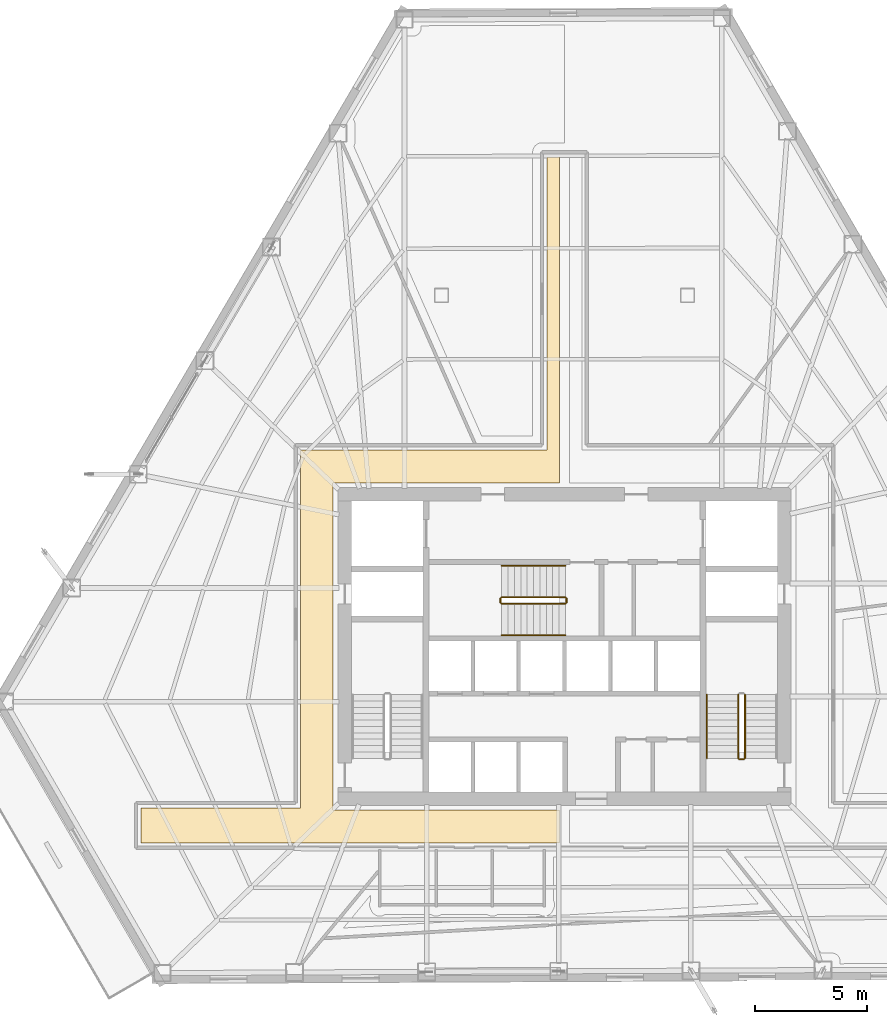
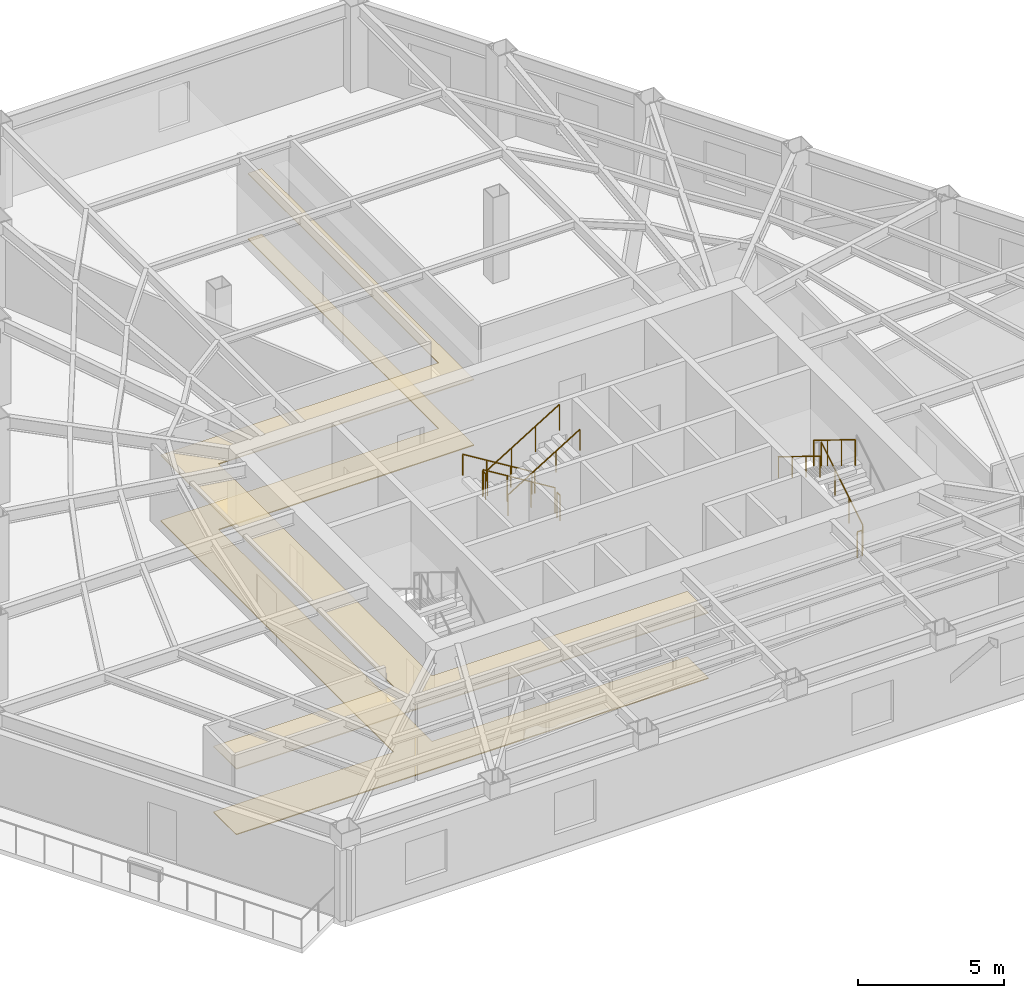
# One storey, part 13 of 15: 10 railings, 2 coverings.
"""IFC4 building model written with IfcOpenShell, lengths in metres."""

from ifc_helpers import new_model, si_unit, direction, frame, origin, origin_2d, place, context, subcontext, project, spatial, polyline, circle, outline, extrude, material, layer, layer_set, type_object, element, save


model = new_model("IFC4")

# Units and contexts
model_context = context("Model", 3, precision=1e-05, world=origin(), true_north=direction((0.0, 1.0)))
body_context = subcontext(model_context, "Body", "Model", "MODEL_VIEW")
ifc_project = project(units=[si_unit("LENGTHUNIT", "METRE"), si_unit("AREAUNIT", "SQUARE_METRE"), si_unit("VOLUMEUNIT", "CUBIC_METRE"), si_unit("PLANEANGLEUNIT", "RADIAN"), si_unit("MASSUNIT", "GRAM", prefix="KILO")], contexts=[model_context])

# Site, building, storey
site_placement = place(None, origin())
site = spatial("IfcSite", under=ifc_project, at=site_placement, CompositionType="ELEMENT")
building_placement = place(site_placement, origin())
building = spatial("IfcBuilding", under=site, at=building_placement, Name="Kavelnor Concourse Tower", CompositionType="ELEMENT")
storey_placement = place(building_placement, frame((0.0, 0.0, 67.60009765625)))
storey = spatial("IfcBuildingStorey", under=building, at=storey_placement, Name="L17", CompositionType="ELEMENT", Elevation=67.60009765625)

# Coverings
ifc_material_1 = material(Name="Mineral fibre acoustic ceiling tile")
ifc_layer_1 = layer(ifc_material_1, 0.0400390625, Name="Mineral fibre acoustic ceiling tile")
ifc_layer_set_1 = layer_set([ifc_layer_1], Name="Mineral fibre acoustic ceiling tile")
covering_type_1 = type_object("IfcCoveringType", Name="COV-CEILING-ACOUSTIC", PredefinedType="CEILING", material=ifc_layer_set_1)
covering_1_placement = place(storey_placement, frame((0.0, 0.0, 2.75)))
element("IfcCovering", 1, at=covering_1_placement, inside=storey, type_object=covering_type_1, Name="L17 Suspended Acoustic Ceiling", PredefinedType="CEILING", context=body_context, shape_type="SweptSolid", body=[
    extrude(outline(polyline([(37.219970703125, 37.97998046875), (37.77490234375, 37.97998046875), (37.77490234375, 23.419921875), (27.659912109375, 23.419921875), (27.659912109375, 8.780029296875), (37.77490234375, 8.780029296875), (37.77490234375, 7.320068359375), (19.06103515625, 7.320068359375), (19.06103515625, 8.8798828125), (26.199951171875, 8.8798828125), (26.199951171875, 24.8798828125), (37.219970703125, 24.8798828125), (37.219970703125, 37.97998046875)])), origin(), (0.0, 0.0, 1.0), 0.039794921875),
])
ifc_material_2 = material(Name="Honed bluestone and raised access floor finish", Category="masonry")
ifc_layer_2 = layer(ifc_material_2, 0.0400390625, Name="Honed bluestone and raised access floor finish")
ifc_layer_set_2 = layer_set([ifc_layer_2], Name="Honed bluestone and raised access floor finish")
covering_type_2 = type_object("IfcCoveringType", Name="COV-FLOOR-STONE", PredefinedType="FLOORING", material=ifc_layer_set_2)
covering_2_placement = place(storey_placement, frame((0.0, 0.0, 0.001953125)))
element("IfcCovering", 2, at=covering_2_placement, inside=storey, type_object=covering_type_2, Name="L17 Honed Bluestone Floor Finish", PredefinedType="FLOORING", context=body_context, shape_type="SweptSolid", body=[
    extrude(outline(polyline([(37.219970703125, 37.97998046875), (37.77490234375, 37.97998046875), (37.77490234375, 23.419921875), (27.659912109375, 23.419921875), (27.659912109375, 8.780029296875), (37.77490234375, 8.780029296875), (37.77490234375, 7.320068359375), (19.06103515625, 7.320068359375), (19.06103515625, 8.8798828125), (26.199951171875, 8.8798828125), (26.199951171875, 24.8798828125), (37.219970703125, 24.8798828125), (37.219970703125, 37.97998046875)])), origin(), (0.0, 0.0, 1.0), 0.0400390625),
])

# Railings
ifc_material_3 = material(Name="Steel Grade 350", Category="steel")
railing_type_1 = type_object("IfcRailingType", Name="RLG-GUARD-1100", PredefinedType="GUARDRAIL", material=ifc_material_3)
railing_1_placement = place(storey_placement, frame((46.070068359375, 11.10009765625, 0.1748046875)))
element("IfcRailing", 3, at=railing_1_placement, inside=storey, type_object=railing_type_1, Name="L17 ST2 stair guard 1", PredefinedType="GUARDRAIL", context=body_context, shape_type="SweptSolid", body=[
    extrude(circle(Radius=0.02392578125, at=origin_2d()), frame((0.0, 0.0, 1.076171875), z_axis=(0.0, 0.852159232446, 0.523282564737), x_axis=(-1.0, 0.0, 0.0)), (0.0, 0.0, 1.0), 3.34423828125),
    extrude(circle(Radius=0.02099609375, at=origin_2d()), origin(), (0.0, 0.0, 1.0), 1.052001953125),
    extrude(circle(Radius=0.02099609375, at=origin_2d()), frame((0.0, 0.949951171875, 0.583251953125)), (0.0, 0.0, 1.0), 1.052001953125),
    extrude(circle(Radius=0.02099609375, at=origin_2d()), frame((0.0, 1.89990234375, 1.166748046875)), (0.0, 0.0, 1.0), 1.052001953125),
    extrude(circle(Radius=0.02099609375, at=origin_2d()), frame((0.0, 2.849853515625, 1.75)), (0.0, 0.0, 1.0), 1.052001953125),
])
railing_2_placement = place(storey_placement, frame((45.77001953125, 13.949951171875, 2.099853515625)))
element("IfcRailing", 4, at=railing_2_placement, inside=storey, type_object=railing_type_1, Name="L17 ST2 stair guard 3", PredefinedType="GUARDRAIL", context=body_context, shape_type="SweptSolid", body=[
    extrude(circle(Radius=0.02392578125, at=origin_2d()), frame((0.0, 0.0, 1.076171875), z_axis=(0.0, -0.852159232446, 0.523282564737), x_axis=(1.0, 0.0, 0.0)), (0.0, 0.0, 1.0), 3.34423828125),
    extrude(circle(Radius=0.02099609375, at=origin_2d()), origin(), (0.0, 0.0, 1.0), 1.052001953125),
    extrude(circle(Radius=0.02099609375, at=origin_2d()), frame((0.0, -0.949951171875, 0.583251953125)), (0.0, 0.0, 1.0), 1.052001953125),
    extrude(circle(Radius=0.02099609375, at=origin_2d()), frame((0.0, -1.89990234375, 1.166748046875)), (0.0, 0.0, 1.0), 1.052001953125),
    extrude(circle(Radius=0.02099609375, at=origin_2d()), frame((0.0, -2.849853515625, 1.75)), (0.0, 0.0, 1.0), 1.052001953125),
])
railing_3_placement = place(storey_placement, frame((46.02001953125, 11.050048828125, 0.0)))
element("IfcRailing", 5, at=railing_3_placement, inside=storey, type_object=railing_type_1, Name="L17 ST2 stair guard 4", PredefinedType="GUARDRAIL", context=body_context, shape_type="SweptSolid", body=[
    extrude(circle(Radius=0.02392578125, at=origin_2d()), frame((0.0, 0.0, 1.076171875), z_axis=(-1.0, 0.0, 0.0), x_axis=(0.0, -1.0, 0.0)), (0.0, 0.0, 1.0), 0.199951171875),
    extrude(circle(Radius=0.02099609375, at=origin_2d()), origin(), (0.0, 0.0, 1.0), 1.052001953125),
    extrude(circle(Radius=0.02099609375, at=origin_2d()), frame((-0.199951171875, 0.0, 0.0)), (0.0, 0.0, 1.0), 1.052001953125),
])
railing_4_placement = place(storey_placement, frame((38.0400390625, 18.31005859375, 0.1748046875)))
element("IfcRailing", 6, at=railing_4_placement, inside=storey, type_object=railing_type_1, Name="L17 ST3 stair guard 1", PredefinedType="GUARDRAIL", context=body_context, shape_type="SweptSolid", body=[
    extrude(circle(Radius=0.02392578125, at=origin_2d()), frame((0.0, 0.0, 1.076171875), z_axis=(-0.852179220489, 0.0, 0.52325001306), x_axis=(0.0, -1.0, 0.0)), (0.0, 0.0, 1.0), 3.344482421875),
    extrude(circle(Radius=0.02099609375, at=origin_2d()), origin(), (0.0, 0.0, 1.0), 1.052001953125),
    extrude(circle(Radius=0.02099609375, at=origin_2d()), frame((-0.949951171875, 0.0, 0.583251953125)), (0.0, 0.0, 1.0), 1.052001953125),
    extrude(circle(Radius=0.02099609375, at=origin_2d()), frame((-1.900146484375, 0.0, 1.166748046875)), (0.0, 0.0, 1.0), 1.052001953125),
    extrude(circle(Radius=0.02099609375, at=origin_2d()), frame((-2.85009765625, 0.0, 1.75)), (0.0, 0.0, 1.0), 1.052001953125),
])
railing_5_placement = place(storey_placement, frame((35.139892578125, 18.260009765625, 1.9248046875)))
element("IfcRailing", 7, at=railing_5_placement, inside=storey, type_object=railing_type_1, Name="L17 ST3 stair guard 2", PredefinedType="GUARDRAIL", context=body_context, shape_type="SweptSolid", body=[
    extrude(circle(Radius=0.02392578125, at=origin_2d()), frame((0.0, 0.0, 1.076171875), z_axis=(0.0, -1.0, 0.0), x_axis=(1.0, 0.0, 0.0)), (0.0, 0.0, 1.0), 0.199951171875),
    extrude(circle(Radius=0.02099609375, at=origin_2d()), origin(), (0.0, 0.0, 1.0), 1.052001953125),
    extrude(circle(Radius=0.02099609375, at=origin_2d()), frame((0.0, -0.199951171875, 0.0)), (0.0, 0.0, 1.0), 1.052001953125),
])
railing_6_placement = place(storey_placement, frame((35.18994140625, 18.010009765625, 2.099853515625)))
element("IfcRailing", 8, at=railing_6_placement, inside=storey, type_object=railing_type_1, Name="L17 ST3 stair guard 3", PredefinedType="GUARDRAIL", context=body_context, shape_type="SweptSolid", body=[
    extrude(circle(Radius=0.02392578125, at=origin_2d()), frame((0.0, 0.0, 1.076171875), z_axis=(0.852179220489, 0.0, 0.52325001306), x_axis=(0.0, 1.0, 0.0)), (0.0, 0.0, 1.0), 3.344482421875),
    extrude(circle(Radius=0.02099609375, at=origin_2d()), origin(), (0.0, 0.0, 1.0), 1.052001953125),
    extrude(circle(Radius=0.02099609375, at=origin_2d()), frame((0.949951171875, 0.0, 0.583251953125)), (0.0, 0.0, 1.0), 1.052001953125),
    extrude(circle(Radius=0.02099609375, at=origin_2d()), frame((1.900146484375, 0.0, 1.166748046875)), (0.0, 0.0, 1.0), 1.052001953125),
    extrude(circle(Radius=0.02099609375, at=origin_2d()), frame((2.85009765625, 0.0, 1.75)), (0.0, 0.0, 1.0), 1.052001953125),
])
railing_7_placement = place(storey_placement, frame((38.090087890625, 18.260009765625, 0.0)))
element("IfcRailing", 9, at=railing_7_placement, inside=storey, type_object=railing_type_1, Name="L17 ST3 stair guard 4", PredefinedType="GUARDRAIL", context=body_context, shape_type="SweptSolid", body=[
    extrude(circle(Radius=0.02392578125, at=origin_2d()), frame((0.0, 0.0, 1.076171875), z_axis=(0.0, -1.0, 0.0), x_axis=(1.0, 0.0, 0.0)), (0.0, 0.0, 1.0), 0.199951171875),
    extrude(circle(Radius=0.02099609375, at=origin_2d()), origin(), (0.0, 0.0, 1.0), 1.052001953125),
    extrude(circle(Radius=0.02099609375, at=origin_2d()), frame((0.0, -0.199951171875, 0.0)), (0.0, 0.0, 1.0), 1.052001953125),
])
railing_type_2 = type_object("IfcRailingType", Name="RLG-HANDRAIL-900", PredefinedType="HANDRAIL", material=ifc_material_3)
railing_8_placement = place(storey_placement, frame((44.3701171875, 13.949951171875, 2.099853515625)))
element("IfcRailing", 10, at=railing_8_placement, inside=storey, type_object=railing_type_2, Name="L17 ST2 stair handrail 2", PredefinedType="HANDRAIL", context=body_context, shape_type="SweptSolid", body=[
    extrude(circle(Radius=0.02392578125, at=origin_2d()), frame((0.0, 0.0, 0.8759765625), z_axis=(0.0, -0.852159232446, 0.523282564737), x_axis=(1.0, 0.0, 0.0)), (0.0, 0.0, 1.0), 3.34423828125),
    extrude(circle(Radius=0.02099609375, at=origin_2d()), origin(), (0.0, 0.0, 1.0), 0.851806640625),
    extrude(circle(Radius=0.02099609375, at=origin_2d()), frame((0.0, -0.949951171875, 0.583251953125)), (0.0, 0.0, 1.0), 0.851806640625),
    extrude(circle(Radius=0.02099609375, at=origin_2d()), frame((0.0, -1.89990234375, 1.166748046875)), (0.0, 0.0, 1.0), 0.851806640625),
    extrude(circle(Radius=0.02099609375, at=origin_2d()), frame((0.0, -2.849853515625, 1.75)), (0.0, 0.0, 1.0), 0.851806640625),
])
railing_9_placement = place(storey_placement, frame((38.0400390625, 19.7099609375, 0.1748046875)))
element("IfcRailing", 11, at=railing_9_placement, inside=storey, type_object=railing_type_2, Name="L17 ST3 stair handrail 1", PredefinedType="HANDRAIL", context=body_context, shape_type="SweptSolid", body=[
    extrude(circle(Radius=0.02392578125, at=origin_2d()), frame((0.0, 0.0, 0.8759765625), z_axis=(-0.852179220489, 0.0, 0.52325001306), x_axis=(0.0, -1.0, 0.0)), (0.0, 0.0, 1.0), 3.344482421875),
    extrude(circle(Radius=0.02099609375, at=origin_2d()), origin(), (0.0, 0.0, 1.0), 0.851806640625),
    extrude(circle(Radius=0.02099609375, at=origin_2d()), frame((-0.949951171875, 0.0, 0.583251953125)), (0.0, 0.0, 1.0), 0.851806640625),
    extrude(circle(Radius=0.02099609375, at=origin_2d()), frame((-1.900146484375, 0.0, 1.166748046875)), (0.0, 0.0, 1.0), 0.851806640625),
    extrude(circle(Radius=0.02099609375, at=origin_2d()), frame((-2.85009765625, 0.0, 1.75)), (0.0, 0.0, 1.0), 0.851806640625),
])
railing_10_placement = place(storey_placement, frame((35.18994140625, 16.610107421875, 2.099853515625)))
element("IfcRailing", 12, at=railing_10_placement, inside=storey, type_object=railing_type_2, Name="L17 ST3 stair handrail 2", PredefinedType="HANDRAIL", context=body_context, shape_type="SweptSolid", body=[
    extrude(circle(Radius=0.02392578125, at=origin_2d()), frame((0.0, 0.0, 0.8759765625), z_axis=(0.852179220489, 0.0, 0.52325001306), x_axis=(0.0, 1.0, 0.0)), (0.0, 0.0, 1.0), 3.344482421875),
    extrude(circle(Radius=0.02099609375, at=origin_2d()), origin(), (0.0, 0.0, 1.0), 0.851806640625),
    extrude(circle(Radius=0.02099609375, at=origin_2d()), frame((0.949951171875, 0.0, 0.583251953125)), (0.0, 0.0, 1.0), 0.851806640625),
    extrude(circle(Radius=0.02099609375, at=origin_2d()), frame((1.900146484375, 0.0, 1.166748046875)), (0.0, 0.0, 1.0), 0.851806640625),
    extrude(circle(Radius=0.02099609375, at=origin_2d()), frame((2.85009765625, 0.0, 1.75)), (0.0, 0.0, 1.0), 0.851806640625),
])

save(model, "model.ifc")
